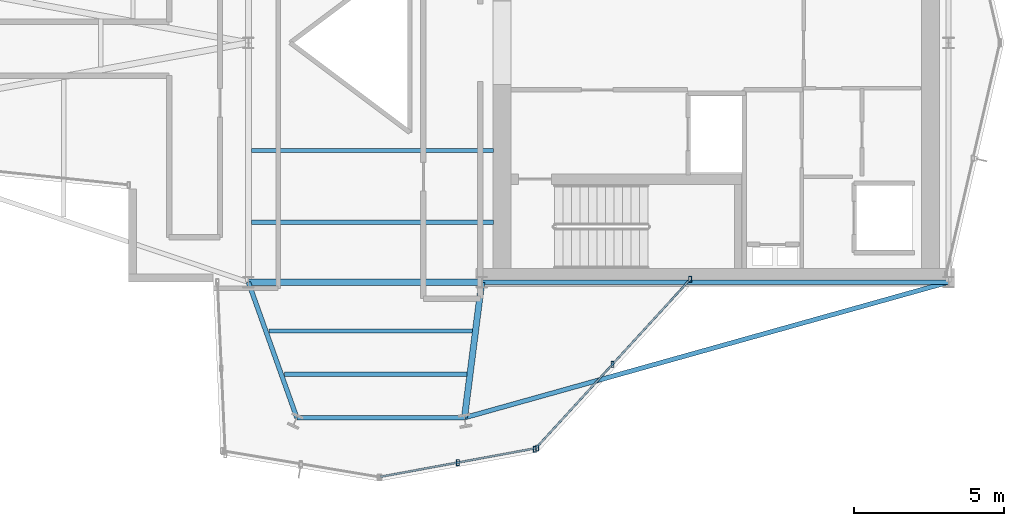
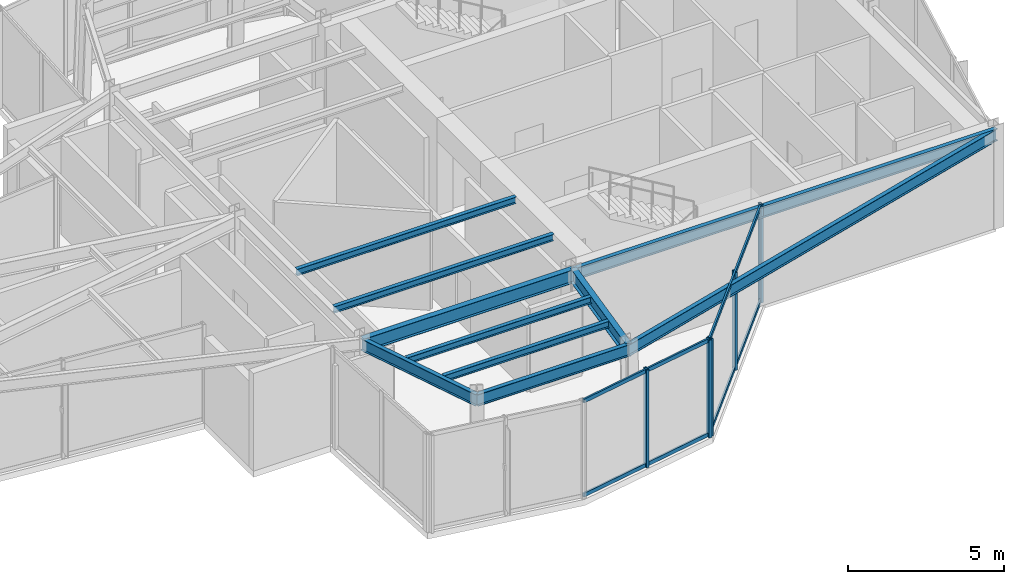
# One storey, part 3 of 13: 10 beams, 9 members, 2 elements without a shape of their own.
"""IFC4 building model written with IfcOpenShell, lengths in metres."""

from ifc_helpers import new_model, si_unit, direction, frame, origin, origin_2d, place, context, subcontext, project, spatial, hollow_rectangle, i_section, extrude, material, layer, layer_set, material_profile, profile_set, type_object, element, aggregate, save


model = new_model("IFC4")

# Units and contexts
model_context = context("Model", 3, precision=1e-05, world=origin(), true_north=direction((0.0, 1.0)))
body_context = subcontext(model_context, "Body", "Model", "MODEL_VIEW")
ifc_project = project(units=[si_unit("LENGTHUNIT", "METRE"), si_unit("AREAUNIT", "SQUARE_METRE"), si_unit("VOLUMEUNIT", "CUBIC_METRE"), si_unit("PLANEANGLEUNIT", "RADIAN"), si_unit("MASSUNIT", "GRAM", prefix="KILO")], contexts=[model_context])

# Site, building, storey
site_placement = place(None, origin())
site = spatial("IfcSite", under=ifc_project, at=site_placement, CompositionType="ELEMENT")
building_placement = place(site_placement, origin())
building = spatial("IfcBuilding", under=site, at=building_placement, Name="Veymaron Broadcast Tower", CompositionType="ELEMENT")
storey_placement = place(building_placement, frame((0.0, 0.0, 287.10009765625)))
storey = spatial("IfcBuildingStorey", under=building, at=storey_placement, Name="L67", CompositionType="ELEMENT", Elevation=287.10009765625)

# Beams
ifc_material_1 = material(Name="Structural steel ASTM A992 Gr 50", Category="steel")
ifc_material_profile_1 = material_profile(ifc_material_1, i_section(OverallWidth=0.208984375, OverallDepth=0.528076171875, WebThickness=0.009521484375, FlangeThickness=0.01318359375, at=origin_2d()), Name="W530X82")
ifc_profile_set_1 = profile_set([ifc_material_profile_1], Name="Structural steel ASTM A992 Gr 50")
beam_type_1 = type_object("IfcBeamType", Name="BM-FG4", PredefinedType="BEAM", material=ifc_profile_set_1)
beam_1_placement = place(storey_placement, frame((31.199951171875, 16.0, 3.5458984375), z_axis=(1.0, 0.0, 0.0), x_axis=(0.0, 1.0, 0.0)))
element("IfcBeam", 1, at=beam_1_placement, inside=storey, type_object=beam_type_1, Name="L67 primary structural floor girder", PredefinedType="BEAM", context=body_context, shape_type="SweptSolid", body=[
    extrude(i_section(OverallWidth=0.208984375, OverallDepth=0.528076171875, WebThickness=0.009521484375, FlangeThickness=0.01318359375, at=origin_2d()), origin(), (0.0, 0.0, 1.0), 7.800048828125),
])
beam_2_placement = place(storey_placement, frame((39.0, 16.0, 3.5458984375), z_axis=(-0.126487567317, -0.991968192693, 0.0), x_axis=(0.991968192693, -0.126487567317, 0.0)))
element("IfcBeam", 2, at=beam_2_placement, inside=storey, type_object=beam_type_1, Name="L67 primary structural floor girder", PredefinedType="BEAM", context=body_context, shape_type="SweptSolid", body=[
    extrude(i_section(OverallWidth=0.208984375, OverallDepth=0.528076171875, WebThickness=0.009521484375, FlangeThickness=0.01318359375, at=origin_2d()), origin(), (0.0, 0.0, 1.0), 4.568603515625),
])
ifc_material_profile_2 = material_profile(ifc_material_1, i_section(OverallWidth=0.14599609375, OverallDepth=0.258056640625, WebThickness=0.006103515625, FlangeThickness=0.009033203125, at=origin_2d()), Name="W250X33")
ifc_profile_set_2 = profile_set([ifc_material_profile_2], Name="Structural steel ASTM A992 Gr 50")
beam_type_2 = type_object("IfcBeamType", Name="BM-JS4", PredefinedType="JOIST", material=ifc_profile_set_2)
beam_3_placement = place(storey_placement, frame((31.882568359375, 14.368408203125, 3.680908203125), z_axis=(1.0, 0.0, 0.0), x_axis=(0.0, 1.0, 0.0)))
element("IfcBeam", 3, at=beam_3_placement, inside=storey, type_object=beam_type_2, Name="L67 Arm-C secondary joist 1", PredefinedType="JOIST", context=body_context, shape_type="SweptSolid", body=[
    extrude(i_section(OverallWidth=0.14599609375, OverallDepth=0.258056640625, WebThickness=0.006103515625, FlangeThickness=0.009033203125, at=origin_2d()), origin(), (0.0, 0.0, 1.0), 6.809326171875),
])
beam_4_placement = place(storey_placement, frame((32.400390625, 12.918212890625, 3.680908203125), z_axis=(1.0, 0.0, 0.0), x_axis=(0.0, 1.0, 0.0)))
element("IfcBeam", 4, at=beam_4_placement, inside=storey, type_object=beam_type_2, Name="L67 Arm-C secondary joist 2", PredefinedType="JOIST", context=body_context, shape_type="SweptSolid", body=[
    extrude(i_section(OverallWidth=0.14599609375, OverallDepth=0.258056640625, WebThickness=0.006103515625, FlangeThickness=0.009033203125, at=origin_2d()), origin(), (0.0, 0.0, 1.0), 6.106689453125),
])
for number, where, z_axis, x_axis, name in (
    (5, (31.300048828125, 18.0, 3.680908203125), (1.0, 0.0, 0.0), (0.0, 1.0, 0.0), "L67 Hub secondary joist 1"),
    (6, (31.300048828125, 20.39990234375, 3.680908203125), (1.0, 0.0, 0.0), (0.0, 1.0, 0.0), "L67 Hub secondary joist 2"),
):
    element("IfcBeam", number, at=place(storey_placement, frame(where, z_axis=z_axis, x_axis=x_axis)), inside=storey, type_object=beam_type_2, Name=name, PredefinedType="JOIST", context=body_context, shape_type="SweptSolid", body=[
        extrude(i_section(OverallWidth=0.14599609375, OverallDepth=0.258056640625, WebThickness=0.006103515625, FlangeThickness=0.009033203125, at=origin_2d()), origin(), (0.0, 0.0, 1.0), 8.099853515625),
    ])
ifc_material_profile_3 = material_profile(ifc_material_1, i_section(OverallWidth=0.154052734375, OverallDepth=0.458984375, WebThickness=0.009033203125, FlangeThickness=0.015380859375, at=origin_2d()), Name="W460X68")
ifc_profile_set_3 = profile_set([ifc_material_profile_3], Name="Structural steel ASTM A992 Gr 50")
beam_type_3 = type_object("IfcBeamType", Name="BM-SP2", PredefinedType="SPANDREL", material=ifc_profile_set_3)
beam_5_placement = place(storey_placement, frame((39.0, 16.0, 3.580322265625), z_axis=(1.0, 0.0, 0.0), x_axis=(0.0, 1.0, 0.0)))
element("IfcBeam", 7, at=beam_5_placement, inside=storey, type_object=beam_type_3, Name="L67 primary structural floor girder", PredefinedType="SPANDREL", context=body_context, shape_type="SweptSolid", body=[
    extrude(i_section(OverallWidth=0.154052734375, OverallDepth=0.458984375, WebThickness=0.009033203125, FlangeThickness=0.015380859375, at=origin_2d()), origin(), (0.0, 0.0, 1.0), 15.60009765625),
])
beam_6_placement = place(storey_placement, frame((31.199951171875, 16.0, 3.580322265625), z_axis=(0.336307472279, -0.941752241351, 0.0), x_axis=(0.941752241351, 0.336307472279, 0.0)))
element("IfcBeam", 8, at=beam_6_placement, inside=storey, type_object=beam_type_3, Name="L67 primary structural floor girder", PredefinedType="SPANDREL", context=body_context, shape_type="SweptSolid", body=[
    extrude(i_section(OverallWidth=0.154052734375, OverallDepth=0.458984375, WebThickness=0.009033203125, FlangeThickness=0.015380859375, at=origin_2d()), origin(), (0.0, 0.0, 1.0), 4.812255859375),
])
beam_7_placement = place(storey_placement, frame((54.60009765625, 16.0, 3.580322265625), z_axis=(-0.962930809843, -0.269748504084, 0.0), x_axis=(0.269748504084, -0.962930809843, 0.0)))
element("IfcBeam", 9, at=beam_7_placement, inside=storey, type_object=beam_type_3, Name="L67 primary structural floor girder", PredefinedType="SPANDREL", context=body_context, shape_type="SweptSolid", body=[
    extrude(i_section(OverallWidth=0.154052734375, OverallDepth=0.458984375, WebThickness=0.009033203125, FlangeThickness=0.015380859375, at=origin_2d()), origin(), (0.0, 0.0, 1.0), 16.80078125),
])
beam_8_placement = place(storey_placement, frame((32.818359375, 11.468017578125, 3.580322265625), z_axis=(1.0, 0.0, 0.0), x_axis=(0.0, 1.0, 0.0)))
element("IfcBeam", 10, at=beam_8_placement, inside=storey, type_object=beam_type_3, Name="L67 primary structural floor girder", PredefinedType="SPANDREL", context=body_context, shape_type="SweptSolid", body=[
    extrude(i_section(OverallWidth=0.154052734375, OverallDepth=0.458984375, WebThickness=0.009033203125, FlangeThickness=0.015380859375, at=origin_2d()), origin(), (0.0, 0.0, 1.0), 5.603759765625),
])

# Curtain wall, members
ifc_material_2 = material(Name="Anodised aluminium AA 6063-T6 and laminated low-E dark glass", Category="aluminium")
ifc_layer = layer(ifc_material_2, 0.179931640625)
ifc_layer_set = layer_set([ifc_layer], Name="Anodised aluminium AA 6063-T6 and laminated low-E dark glass")
curtain_wall_type = type_object("IfcCurtainWallType", Name="CW-SYS-06", PredefinedType="NOTDEFINED", material=ifc_layer_set)
curtain_wall_1_placement = place(storey_placement, origin())
curtain_wall_1 = element("IfcCurtainWall", 11, at=curtain_wall_1_placement, inside=storey, type_object=curtain_wall_type, Name="L67 dark-glass curtain wall CW-L67-E19-1", PredefinedType="NOTDEFINED")
ifc_material_3 = material(Name="Anodised aluminium AA 6063-T6", Category="aluminium")
ifc_material_profile_4 = material_profile(ifc_material_3, hollow_rectangle(XDim=0.10009765625, YDim=0.199951171875, WallThickness=0.010009765625, at=origin_2d()), Name="RHS200X100X10")
ifc_profile_set_4 = profile_set([ifc_material_profile_4], Name="Anodised aluminium AA 6063-T6")
member_type_1 = type_object("IfcMemberType", Name="CW-MUL-01", PredefinedType="MULLION", material=ifc_profile_set_4)
member_1_placement = place(storey_placement, frame((38.2041015625, 9.970703125, 0.0), z_axis=(0.0, 0.0, 1.0), x_axis=(1.0, 0.0, 0.0)))
member_1 = element("IfcMember", 12, at=member_1_placement, type_object=member_type_1, Name="CW-L67-E19-1 mullion 1", PredefinedType="MULLION", context=body_context, shape_type="SweptSolid", body=[
    extrude(hollow_rectangle(XDim=0.10009765625, YDim=0.199951171875, WallThickness=0.010009765625, at=origin_2d()), origin(), (0.0, 0.0, 1.0), 3.809814453125),
])
member_2_placement = place(storey_placement, frame((40.852294921875, 10.456787109375, 0.0), z_axis=(0.0, 0.0, 1.0), x_axis=(1.0, 0.0, 0.0)))
member_2 = element("IfcMember", 13, at=member_2_placement, type_object=member_type_1, Name="CW-L67-E19-1 mullion 2", PredefinedType="MULLION", context=body_context, shape_type="SweptSolid", body=[
    extrude(hollow_rectangle(XDim=0.10009765625, YDim=0.199951171875, WallThickness=0.010009765625, at=origin_2d()), origin(), (0.0, 0.0, 1.0), 3.809814453125),
])

curtain_wall_2_placement = place(storey_placement, origin())
curtain_wall_2 = element("IfcCurtainWall", 14, at=curtain_wall_2_placement, inside=storey, type_object=curtain_wall_type, Name="L67 dark-glass curtain wall CW-L67-E20-1", PredefinedType="NOTDEFINED")
member_3_placement = place(storey_placement, frame((40.7744140625, 10.41357421875, 0.0), z_axis=(0.0, 0.0, 1.0), x_axis=(1.0, 0.0, 0.0)))
member_3 = element("IfcMember", 15, at=member_3_placement, type_object=member_type_1, Name="CW-L67-E20-1 mullion 0", PredefinedType="MULLION", context=body_context, shape_type="SweptSolid", body=[
    extrude(hollow_rectangle(XDim=0.10009765625, YDim=0.199951171875, WallThickness=0.010009765625, at=origin_2d()), origin(), (0.0, 0.0, 1.0), 3.809814453125),
])
member_4_placement = place(storey_placement, frame((43.3701171875, 13.25390625, 0.0), z_axis=(0.0, 0.0, 1.0), x_axis=(1.0, 0.0, 0.0)))
member_4 = element("IfcMember", 16, at=member_4_placement, type_object=member_type_1, Name="CW-L67-E20-1 mullion 1", PredefinedType="MULLION", context=body_context, shape_type="SweptSolid", body=[
    extrude(hollow_rectangle(XDim=0.10009765625, YDim=0.199951171875, WallThickness=0.010009765625, at=origin_2d()), origin(), (0.0, 0.0, 1.0), 3.809814453125),
])
member_5_placement = place(storey_placement, frame((45.965576171875, 16.094482421875, 0.0), z_axis=(0.0, 0.0, 1.0), x_axis=(1.0, 0.0, 0.0)))
member_5 = element("IfcMember", 17, at=member_5_placement, type_object=member_type_1, Name="CW-L67-E20-1 mullion 2", PredefinedType="MULLION", context=body_context, shape_type="SweptSolid", body=[
    extrude(hollow_rectangle(XDim=0.10009765625, YDim=0.199951171875, WallThickness=0.010009765625, at=origin_2d()), origin(), (0.0, 0.0, 1.0), 3.809814453125),
])

# Member
ifc_material_profile_5 = material_profile(ifc_material_3, hollow_rectangle(XDim=0.06494140625, YDim=0.14990234375, WallThickness=0.00390625, at=origin_2d()), Name="AL150X65X4")
ifc_profile_set_5 = profile_set([ifc_material_profile_5], Name="Anodised aluminium AA 6063-T6")
member_type_2 = type_object("IfcMemberType", Name="CW-TRN-01", PredefinedType="USERDEFINED", material=ifc_profile_set_5)
member_6_placement = place(storey_placement, frame((35.60498046875, 9.493408203125, 0.06982421875), z_axis=(0.983552023681, 0.180625072218, 0.0), x_axis=(-0.180625072218, 0.983552023681, 0.0)))
member_6 = element("IfcMember", 18, at=member_6_placement, type_object=member_type_2, Name="CW-L67-E19-1 transom B", ObjectType="TRANSOM", PredefinedType="USERDEFINED", context=body_context, shape_type="SweptSolid", body=[
    extrude(hollow_rectangle(XDim=0.06494140625, YDim=0.14990234375, WallThickness=0.00390625, at=origin_2d()), origin(), (0.0, 0.0, 1.0), 5.284912109375),
])

member_7_placement = place(storey_placement, frame((35.60498046875, 9.493408203125, 3.739990234375), z_axis=(0.983552023681, 0.180625072218, 0.0), x_axis=(-0.180625072218, 0.983552023681, 0.0)))
member_7 = element("IfcMember", 19, at=member_7_placement, type_object=member_type_2, Name="CW-L67-E19-1 transom T", ObjectType="TRANSOM", PredefinedType="USERDEFINED", context=body_context, shape_type="SweptSolid", body=[
    extrude(hollow_rectangle(XDim=0.06494140625, YDim=0.14990234375, WallThickness=0.00390625, at=origin_2d()), origin(), (0.0, 0.0, 1.0), 5.284912109375),
])

aggregate(curtain_wall_1, [member_1, member_2, member_6, member_7])

member_8_placement = place(storey_placement, frame((40.80810546875, 10.450439453125, 0.06982421875), z_axis=(0.674569589879, 0.738211262722, 0.0), x_axis=(-0.738211262722, 0.674569589879, 0.0)))
member_8 = element("IfcMember", 20, at=member_8_placement, type_object=member_type_2, Name="CW-L67-E20-1 transom B", ObjectType="TRANSOM", PredefinedType="USERDEFINED", context=body_context, shape_type="SweptSolid", body=[
    extrude(hollow_rectangle(XDim=0.06494140625, YDim=0.14990234375, WallThickness=0.00390625, at=origin_2d()), origin(), (0.0, 0.0, 1.0), 7.595703125),
])

member_9_placement = place(storey_placement, frame((40.80810546875, 10.450439453125, 3.739990234375), z_axis=(0.674569589879, 0.738211262722, 0.0), x_axis=(-0.738211262722, 0.674569589879, 0.0)))
member_9 = element("IfcMember", 21, at=member_9_placement, type_object=member_type_2, Name="CW-L67-E20-1 transom T", ObjectType="TRANSOM", PredefinedType="USERDEFINED", context=body_context, shape_type="SweptSolid", body=[
    extrude(hollow_rectangle(XDim=0.06494140625, YDim=0.14990234375, WallThickness=0.00390625, at=origin_2d()), origin(), (0.0, 0.0, 1.0), 7.595703125),
])

aggregate(curtain_wall_2, [member_3, member_4, member_5, member_8, member_9])

save(model, "model.ifc")
